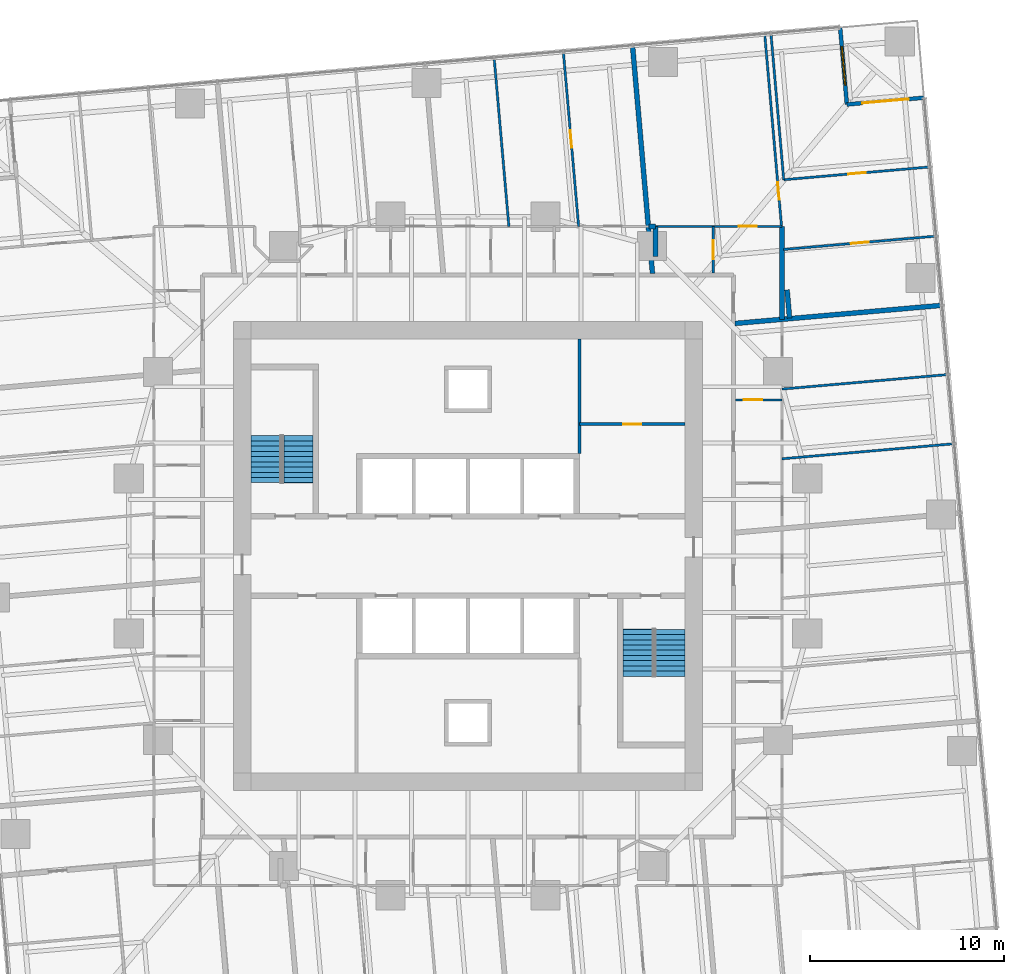
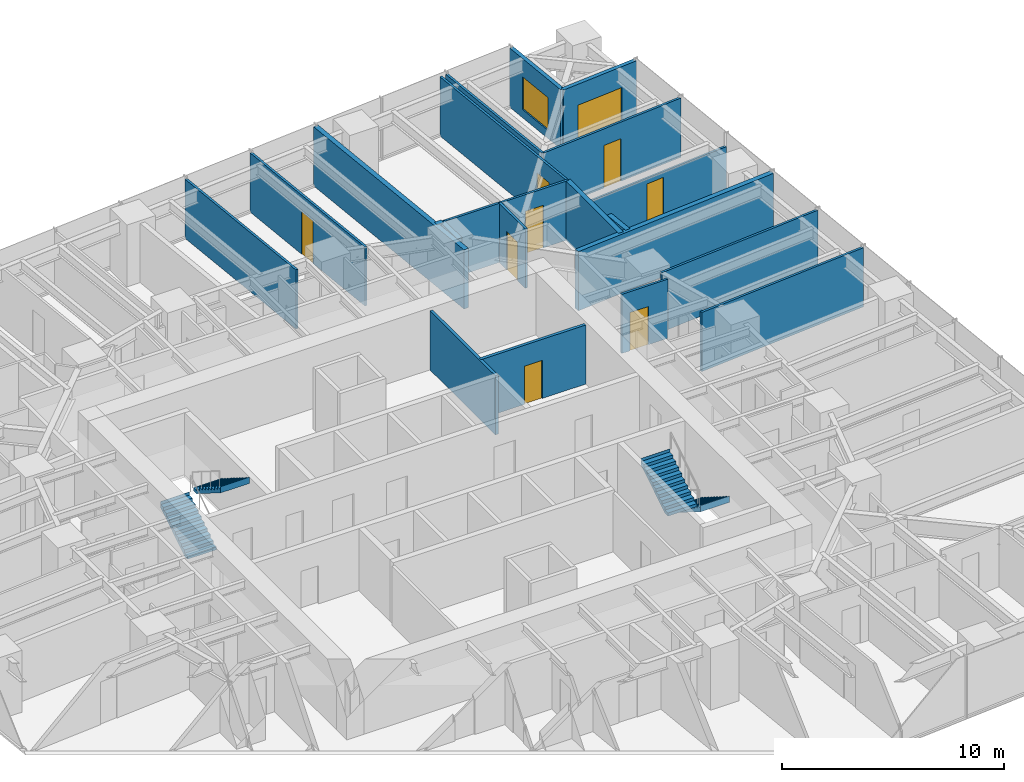
# One storey, part 13 of 14: 21 walls, 9 doors, 4 stair flights, 1 window, 10 openings, 2 elements without a shape of their own.
"""IFC4 building model written with IfcOpenShell, lengths in metres."""

from ifc_helpers import new_model, si_unit, direction, frame, frame_2d, origin, place, context, subcontext, project, spatial, polyline, rectangle, outline, extrude, material, layer, layer_set, type_object, element, fill, aggregate, save


model = new_model("IFC4")

# Units and contexts
model_context = context("Model", 3, precision=1e-05, world=origin(), true_north=direction((0.0, 1.0)))
body_context = subcontext(model_context, "Body", "Model", "MODEL_VIEW")
ifc_project = project(units=[si_unit("LENGTHUNIT", "METRE"), si_unit("AREAUNIT", "SQUARE_METRE"), si_unit("VOLUMEUNIT", "CUBIC_METRE"), si_unit("PLANEANGLEUNIT", "RADIAN"), si_unit("MASSUNIT", "GRAM", prefix="KILO")], contexts=[model_context])

# Site, building, storey
site_placement = place(None, origin())
site = spatial("IfcSite", under=ifc_project, at=site_placement, CompositionType="ELEMENT")
building_placement = place(site_placement, origin())
building = spatial("IfcBuilding", under=site, at=building_placement, Name="Torsade Residences", CompositionType="ELEMENT")
storey_placement = place(building_placement, frame((0.0, 0.0, 57.39990234375)))
storey = spatial("IfcBuildingStorey", under=building, at=storey_placement, Name="L15", CompositionType="ELEMENT", Elevation=57.39990234375)

# Wall, opening, door
ifc_material_1 = material(Name="Plasterboard on steel stud", Category="steel")
ifc_layer_1 = layer(ifc_material_1, 0.1201171875)
ifc_layer_set_1 = layer_set([ifc_layer_1], Name="Plasterboard on steel stud")
wall_type_1 = type_object("IfcWallType", Name="PARTITION 120", PredefinedType="PARTITIONING", material=ifc_layer_set_1)
wall_1_placement = place(storey_placement, frame((53.800048828125, 38.05029296875, 0.0), z_axis=(0.0, 0.0, 1.0), x_axis=(1.0, 0.0, 0.0)))
wall_1 = element("IfcWall", 1, at=wall_1_placement, inside=storey, type_object=wall_type_1, Name="Partition L15", PredefinedType="PARTITIONING", context=body_context, shape_type="SweptSolid", body=[
    extrude(rectangle(XDim=2.39990234375, YDim=0.1201171875, at=frame_2d((1.199951171875, 0.0))), origin(), (0.0, 0.0, 1.0), 3.25),
])
opening_1_placement = place(wall_1_placement, frame((0.419921875, 0.0, 0.0)))
opening_1 = element("IfcOpeningElement", 2, at=opening_1_placement, cuts=wall_1, Name="Opening D05", PredefinedType="OPENING", context=body_context, shape_type="SweptSolid", body=[
    extrude(rectangle(XDim=0.9599609375, YDim=2.10009765625, at=frame_2d((0.47998046875, 1.050048828125))), frame((0.0, 0.070068359375, 0.0), z_axis=(0.0, -1.0, 0.0), x_axis=(1.0, 0.0, 0.0)), (0.0, 0.0, 1.0), 0.14013671875),
])
ifc_material_2 = material(Name="Hollow-core timber door in a steel cavity frame", Category="steel")
door_type_1 = type_object("IfcDoorType", Name="BATHROOM CAVITY SLIDING DOOR 960", OperationType="SLIDING_TO_LEFT", PredefinedType="DOOR", material=ifc_material_2)
door_1_placement = place(opening_1_placement, origin())
door_1 = element("IfcDoor", 3, at=door_1_placement, inside=storey, type_object=door_type_1, Name="Door Kitchen and dining to Bathroom", OperationType="SLIDING_TO_LEFT", OverallHeight=2.10009765625, OverallWidth=0.9599609375, PredefinedType="DOOR", context=body_context, shape_type="SweptSolid", body=[
    extrude(rectangle(XDim=0.9599609375, YDim=2.10009765625, at=frame_2d((0.47998046875, 1.050048828125))), frame((0.0, 0.02490234375, 0.0), z_axis=(0.0, -1.0, 0.0), x_axis=(1.0, 0.0, 0.0)), (0.0, 0.0, 1.0), 0.050048828125),
])
fill(opening_1, door_1)

# Walls
wall_2_placement = place(storey_placement, frame((56.199951171875, 35.014404296875, 0.0), z_axis=(0.0, 0.0, 1.0), x_axis=(0.996194045583, 0.087163200634, 0.0)))
element("IfcWall", 4, at=wall_2_placement, inside=storey, type_object=wall_type_1, Name="Partition L15", PredefinedType="PARTITIONING", context=body_context, shape_type="SweptSolid", body=[
    extrude(rectangle(XDim=8.884765625, YDim=0.1201171875, at=frame_2d((4.4423828125, 0.0))), origin(), (0.0, 0.0, 1.0), 3.25),
])
wall_3_placement = place(storey_placement, frame((56.199951171875, 38.611328125, 0.0), z_axis=(0.0, 0.0, 1.0), x_axis=(0.996194273991, 0.087160590107, 0.0)))
element("IfcWall", 5, at=wall_3_placement, inside=storey, type_object=wall_type_1, Name="Partition L15", PredefinedType="PARTITIONING", context=body_context, shape_type="SweptSolid", body=[
    extrude(rectangle(XDim=8.5712890625, YDim=0.1201171875, at=frame_2d((4.28564453125, 0.0))), origin(), (0.0, 0.0, 1.0), 3.25),
])

# Wall, opening, door
wall_4_placement = place(storey_placement, frame((52.657470703125, 44.60009765625, 0.0), z_axis=(0.0, 0.0, 1.0), x_axis=(0.0, 1.0, 0.0)))
wall_4 = element("IfcWall", 6, at=wall_4_placement, inside=storey, type_object=wall_type_1, Name="Partition L15", PredefinedType="PARTITIONING", context=body_context, shape_type="SweptSolid", body=[
    extrude(rectangle(XDim=2.39990234375, YDim=0.1201171875, at=frame_2d((1.199951171875, 0.0))), origin(), (0.0, 0.0, 1.0), 3.25),
])
opening_2_placement = place(wall_4_placement, frame((0.719970703125, 0.0, 0.0)))
opening_2 = element("IfcOpeningElement", 7, at=opening_2_placement, cuts=wall_4, Name="Opening D05", PredefinedType="OPENING", context=body_context, shape_type="SweptSolid", body=[
    extrude(rectangle(XDim=0.9599609375, YDim=2.10009765625, at=frame_2d((0.47998046875, 1.050048828125))), frame((0.0, 0.070068359375, 0.0), z_axis=(0.0, -1.0, 0.0), x_axis=(1.0, 0.0, 0.0)), (0.0, 0.0, 1.0), 0.14013671875),
])
door_2_placement = place(opening_2_placement, origin())
door_2 = element("IfcDoor", 8, at=door_2_placement, inside=storey, type_object=door_type_1, Name="Door Kitchen and dining to Bathroom", OperationType="SLIDING_TO_LEFT", OverallHeight=2.10009765625, OverallWidth=0.9599609375, PredefinedType="DOOR", context=body_context, shape_type="SweptSolid", body=[
    extrude(rectangle(XDim=0.9599609375, YDim=2.10009765625, at=frame_2d((0.47998046875, 1.050048828125))), frame((0.0, 0.02490234375, 0.0), z_axis=(0.0, -1.0, 0.0), x_axis=(1.0, 0.0, 0.0)), (0.0, 0.0, 1.0), 0.050048828125),
])
fill(opening_2, door_2)

wall_5_placement = place(storey_placement, frame((49.68017578125, 47.0, 0.0), z_axis=(0.0, 0.0, 1.0), x_axis=(1.0, 0.0, 0.0)))
wall_5 = element("IfcWall", 9, at=wall_5_placement, inside=storey, type_object=wall_type_1, Name="Partition L15", PredefinedType="PARTITIONING", context=body_context, shape_type="SweptSolid", body=[
    extrude(rectangle(XDim=6.519775390625, YDim=0.1201171875, at=frame_2d((3.259765625, 0.0))), origin(), (0.0, 0.0, 1.0), 3.25),
])
opening_3_placement = place(wall_5_placement, frame((4.28857421875, 0.0, 0.0)))
opening_3 = element("IfcOpeningElement", 10, at=opening_3_placement, cuts=wall_5, Name="Opening D02", PredefinedType="OPENING", context=body_context, shape_type="SweptSolid", body=[
    extrude(rectangle(XDim=0.919921875, YDim=2.340087890625, at=frame_2d((0.4599609375, 1.169921875))), frame((0.0, 0.070068359375, 0.0), z_axis=(0.0, -1.0, 0.0), x_axis=(1.0, 0.0, 0.0)), (0.0, 0.0, 1.0), 0.14013671875),
])
ifc_material_3 = material(Name="Hollow-core timber door", Category="wood")
door_type_2 = type_object("IfcDoorType", Name="INTERNAL DOOR 920x2340", OperationType="NOTDEFINED", PredefinedType="DOOR", material=ifc_material_3)
door_3_placement = place(opening_3_placement, origin())
door_3 = element("IfcDoor", 11, at=door_3_placement, inside=storey, type_object=door_type_2, Name="Door Kitchen and dining to Living room", OperationType="SINGLE_SWING_RIGHT", OverallHeight=2.340087890625, OverallWidth=0.919921875, PredefinedType="DOOR", context=body_context, shape_type="SweptSolid", body=[
    extrude(rectangle(XDim=0.919921875, YDim=2.340087890625, at=frame_2d((0.4599609375, 1.169921875))), frame((0.0, 0.02490234375, 0.0), z_axis=(0.0, -1.0, 0.0), x_axis=(1.0, 0.0, 0.0)), (0.0, 0.0, 1.0), 0.050048828125),
])
fill(opening_3, door_3)

wall_6_placement = place(storey_placement, frame((55.30810546875, 56.896484375, 0.0), z_axis=(0.0, 0.0, 1.0), x_axis=(0.087145000294, -0.996195637876, 0.0)))
wall_6 = element("IfcWall", 12, at=wall_6_placement, inside=storey, type_object=wall_type_1, Name="Partition L15", PredefinedType="PARTITIONING", context=body_context, shape_type="SweptSolid", body=[
    extrude(rectangle(XDim=9.934326171875, YDim=0.1201171875, at=frame_2d((4.96728515625, 0.0))), origin(), (0.0, 0.0, 1.0), 3.25),
])
opening_4_placement = place(wall_6_placement, frame((7.63720703125, 0.0, 0.0)))
opening_4 = element("IfcOpeningElement", 13, at=opening_4_placement, cuts=wall_6, Name="Opening D02", PredefinedType="OPENING", context=body_context, shape_type="SweptSolid", body=[
    extrude(rectangle(XDim=0.919921875, YDim=2.340087890625, at=frame_2d((0.4599609375, 1.169921875))), frame((0.0, 0.070068359375, 0.0), z_axis=(0.0, -1.0, 0.0), x_axis=(1.0, 0.0, 0.0)), (0.0, 0.0, 1.0), 0.14013671875),
])
door_4_placement = place(opening_4_placement, origin())
door_4 = element("IfcDoor", 14, at=door_4_placement, inside=storey, type_object=door_type_2, Name="Door Living room to Bedroom 1", OperationType="SINGLE_SWING_RIGHT", OverallHeight=2.340087890625, OverallWidth=0.919921875, PredefinedType="DOOR", context=body_context, shape_type="SweptSolid", body=[
    extrude(rectangle(XDim=0.919921875, YDim=2.340087890625, at=frame_2d((0.4599609375, 1.169921875))), frame((0.0, 0.02490234375, 0.0), z_axis=(0.0, -1.0, 0.0), x_axis=(1.0, 0.0, 0.0)), (0.0, 0.0, 1.0), 0.050048828125),
])
fill(opening_4, door_4)

wall_7_placement = place(storey_placement, frame((64.11376953125, 46.497802734375, 0.0), z_axis=(0.0, 0.0, 1.0), x_axis=(-0.996194795495, -0.087154629416, 0.0)))
wall_7 = element("IfcWall", 15, at=wall_7_placement, inside=storey, type_object=wall_type_1, Name="Partition L15", PredefinedType="PARTITIONING", context=body_context, shape_type="SweptSolid", body=[
    extrude(rectangle(XDim=7.865966796875, YDim=0.1201171875, at=frame_2d((3.93310546875, 0.0))), origin(), (0.0, 0.0, 1.0), 2.63818359375),
])
opening_5_placement = place(wall_7_placement, frame((3.453125, 0.0, 0.0)))
opening_5 = element("IfcOpeningElement", 16, at=opening_5_placement, cuts=wall_7, Name="Opening D02", PredefinedType="OPENING", context=body_context, shape_type="SweptSolid", body=[
    extrude(rectangle(XDim=0.919921875, YDim=2.340087890625, at=frame_2d((0.4599609375, 1.169921875))), frame((0.0, 0.070068359375, 0.0), z_axis=(0.0, -1.0, 0.0), x_axis=(1.0, 0.0, 0.0)), (0.0, 0.0, 1.0), 0.14013671875),
])
door_5_placement = place(opening_5_placement, origin())
door_5 = element("IfcDoor", 17, at=door_5_placement, inside=storey, type_object=door_type_2, Name="Door Bedroom 1 to Bedroom 2", OperationType="SINGLE_SWING_LEFT", OverallHeight=2.340087890625, OverallWidth=0.919921875, PredefinedType="DOOR", context=body_context, shape_type="SweptSolid", body=[
    extrude(rectangle(XDim=0.919921875, YDim=2.340087890625, at=frame_2d((0.4599609375, 1.169921875))), frame((0.0, 0.02490234375, 0.0), z_axis=(0.0, -1.0, 0.0), x_axis=(1.0, 0.0, 0.0)), (0.0, 0.0, 1.0), 0.050048828125),
])
fill(opening_5, door_5)

# Wall
wall_8_placement = place(storey_placement, frame((55.62939453125, 56.924560546875, 0.0), z_axis=(0.0, 0.0, 1.0), x_axis=(0.087158920508, -0.996194420069, 0.0)))
element("IfcWall", 18, at=wall_8_placement, inside=storey, type_object=wall_type_1, Name="Partition L15", PredefinedType="PARTITIONING", context=body_context, shape_type="SweptSolid", body=[
    extrude(rectangle(XDim=7.54345703125, YDim=0.1201171875, at=frame_2d((3.771728515625, 0.0))), origin(), (0.0, 0.0, 1.0), 3.25),
])

# Wall, opening, door
wall_9_placement = place(storey_placement, frame((56.286865234375, 49.409912109375, 0.0), z_axis=(0.0, 0.0, 1.0), x_axis=(0.996194420069, 0.087158920508, 0.0)))
wall_9 = element("IfcWall", 19, at=wall_9_placement, inside=storey, type_object=wall_type_1, Name="Partition L15", PredefinedType="PARTITIONING", context=body_context, shape_type="SweptSolid", body=[
    extrude(rectangle(XDim=7.54345703125, YDim=0.1201171875, at=frame_2d((3.771728515625, 0.0))), origin(), (0.0, 0.0, 1.0), 3.25),
])
opening_6_placement = place(wall_9_placement, frame((3.331787109375, 0.0, 0.0)))
opening_6 = element("IfcOpeningElement", 20, at=opening_6_placement, cuts=wall_9, Name="Opening D02", PredefinedType="OPENING", context=body_context, shape_type="SweptSolid", body=[
    extrude(rectangle(XDim=0.919921875, YDim=2.340087890625, at=frame_2d((0.4599609375, 1.169921875))), frame((0.0, 0.070068359375, 0.0), z_axis=(0.0, -1.0, 0.0), x_axis=(1.0, 0.0, 0.0)), (0.0, 0.0, 1.0), 0.14013671875),
])
door_6_placement = place(opening_6_placement, origin())
door_6 = element("IfcDoor", 21, at=door_6_placement, inside=storey, type_object=door_type_2, Name="Door Bedroom 1 to Study", OperationType="SINGLE_SWING_RIGHT", OverallHeight=2.340087890625, OverallWidth=0.919921875, PredefinedType="DOOR", context=body_context, shape_type="SweptSolid", body=[
    extrude(rectangle(XDim=0.919921875, YDim=2.340087890625, at=frame_2d((0.4599609375, 1.169921875))), frame((0.0, 0.02490234375, 0.0), z_axis=(0.0, -1.0, 0.0), x_axis=(1.0, 0.0, 0.0)), (0.0, 0.0, 1.0), 0.050048828125),
])
fill(opening_6, door_6)

wall_10_placement = place(storey_placement, frame((45.706787109375, 47.0, 0.0), z_axis=(0.0, 0.0, 1.0), x_axis=(-0.087160907995, 0.996194246178, 0.0)))
wall_10 = element("IfcWall", 22, at=wall_10_placement, inside=storey, type_object=wall_type_1, Name="Partition L15", PredefinedType="PARTITIONING", context=body_context, shape_type="SweptSolid", body=[
    extrude(rectangle(XDim=9.022216796875, YDim=0.1201171875, at=frame_2d((4.51123046875, 0.0))), origin(), (0.0, 0.0, 1.0), 3.25),
])
opening_7_placement = place(wall_10_placement, frame((4.071044921875, 0.0, 0.0)))
opening_7 = element("IfcOpeningElement", 23, at=opening_7_placement, cuts=wall_10, Name="Opening D02", PredefinedType="OPENING", context=body_context, shape_type="SweptSolid", body=[
    extrude(rectangle(XDim=0.919921875, YDim=2.340087890625, at=frame_2d((0.4599609375, 1.169921875))), frame((0.0, 0.070068359375, 0.0), z_axis=(0.0, -1.0, 0.0), x_axis=(1.0, 0.0, 0.0)), (0.0, 0.0, 1.0), 0.14013671875),
])
door_7_placement = place(opening_7_placement, origin())
door_7 = element("IfcDoor", 24, at=door_7_placement, inside=storey, type_object=door_type_2, Name="Door Living room to Bedroom 1", OperationType="SINGLE_SWING_RIGHT", OverallHeight=2.340087890625, OverallWidth=0.919921875, PredefinedType="DOOR", context=body_context, shape_type="SweptSolid", body=[
    extrude(rectangle(XDim=0.919921875, YDim=2.340087890625, at=frame_2d((0.4599609375, 1.169921875))), frame((0.0, 0.02490234375, 0.0), z_axis=(0.0, -1.0, 0.0), x_axis=(1.0, 0.0, 0.0)), (0.0, 0.0, 1.0), 0.050048828125),
])
fill(opening_7, door_7)

# Walls
wall_11_placement = place(storey_placement, frame((42.109619140625, 47.0, 0.0), z_axis=(0.0, 0.0, 1.0), x_axis=(-0.087158256162, 0.996194478193, 0.0)))
element("IfcWall", 25, at=wall_11_placement, inside=storey, type_object=wall_type_1, Name="Partition L15", PredefinedType="PARTITIONING", context=body_context, shape_type="SweptSolid", body=[
    extrude(rectangle(XDim=8.708740234375, YDim=0.1201171875, at=frame_2d((4.3544921875, 0.0))), origin(), (0.0, 0.0, 1.0), 3.25),
])
ifc_material_4 = material(Name="Masonry-lined stud party wall", Category="masonry")
ifc_layer_2 = layer(ifc_material_4, 0.25)
ifc_layer_set_2 = layer_set([ifc_layer_2], Name="Masonry-lined stud party wall")
wall_type_2 = type_object("IfcWallType", Name="PARTY WALL 250", PredefinedType="PARTITIONING", material=ifc_layer_set_2)
wall_12_placement = place(storey_placement, frame((64.466064453125, 42.931640625, 0.0), z_axis=(0.0, 0.0, 1.0), x_axis=(-0.996193939644, -0.08716441141, 0.0)))
element("IfcWall", 26, at=wall_12_placement, inside=storey, type_object=wall_type_2, Name="Party wall L15", PredefinedType="PARTITIONING", context=body_context, shape_type="SweptSolid", body=[
    extrude(rectangle(XDim=10.73583984375, YDim=0.25, at=frame_2d((5.367919921875, 0.0))), origin(), (0.0, 0.0, 1.0), 3.25),
])
wall_13_placement = place(storey_placement, frame((48.486572265625, 56.33984375, 0.0), z_axis=(0.0, 0.0, 1.0), x_axis=(0.087168232078, -0.996193605338, 0.0)))
element("IfcWall", 27, at=wall_13_placement, inside=storey, type_object=wall_type_2, Name="Party wall L15", PredefinedType="PARTITIONING", context=body_context, shape_type="SweptSolid", body=[
    extrude(rectangle(XDim=11.813720703125, YDim=0.25, at=frame_2d((5.90673828125, 0.0))), origin(), (0.0, 0.0, 1.0), 3.25),
])
wall_14_placement = place(storey_placement, frame((56.199951171875, 42.20849609375, 0.0), z_axis=(0.0, 0.0, 1.0), x_axis=(0.0, 1.0, 0.0)))
element("IfcWall", 28, at=wall_14_placement, inside=storey, type_object=wall_type_2, Name="Party wall L15", PredefinedType="PARTITIONING", context=body_context, shape_type="SweptSolid", body=[
    extrude(rectangle(XDim=4.79150390625, YDim=0.25, at=frame_2d((2.395751953125, 0.0))), origin(), (0.0, 0.0, 1.0), 3.25),
])
wall_15_placement = place(storey_placement, frame((56.4599609375, 43.7294921875, 0.0), z_axis=(0.0, 0.0, 1.0), x_axis=(0.087133819286, -0.996196615903, 0.0)))
element("IfcWall", 29, at=wall_15_placement, inside=storey, type_object=wall_type_2, Name="Party wall L15", PredefinedType="PARTITIONING", context=body_context, shape_type="SweptSolid", body=[
    extrude(rectangle(XDim=1.462646484375, YDim=0.25, at=frame_2d((0.7314453125, 0.0))), origin(), (0.0, 0.0, 1.0), 3.25),
])
wall_16_placement = place(storey_placement, frame((49.68017578125, 47.0, 0.0), z_axis=(0.0, 0.0, 1.0), x_axis=(0.0, -1.0, 0.0)))
element("IfcWall", 30, at=wall_16_placement, inside=storey, type_object=wall_type_2, Name="Party wall L15", PredefinedType="PARTITIONING", context=body_context, shape_type="SweptSolid", body=[
    extrude(rectangle(XDim=1.549072265625, YDim=0.25, at=frame_2d((0.7744140625, 0.0))), origin(), (0.0, 0.0, 1.0), 3.25),
])
wall_17_placement = place(storey_placement, frame((49.328369140625, 47.000244140625, 0.0), z_axis=(0.0, 0.0, 1.0), x_axis=(0.999999759208, -0.000693962359, 0.0)))
element("IfcWall", 31, at=wall_17_placement, inside=storey, type_object=wall_type_2, Name="Party wall L15", PredefinedType="PARTITIONING", context=body_context, shape_type="SweptSolid", body=[
    extrude(rectangle(XDim=0.351806640625, YDim=0.25, at=frame_2d((0.17578125, 0.0))), origin(), (0.0, 0.0, 1.0), 3.25),
])
ifc_material_5 = material(Name="Reinforced blockwork", Category="masonry")
ifc_layer_3 = layer(ifc_material_5, 0.14990234375)
ifc_layer_set_3 = layer_set([ifc_layer_3], Name="Reinforced blockwork")
wall_type_3 = type_object("IfcWallType", Name="SERVICE ROOM WALL 150", PredefinedType="SOLIDWALL", material=ifc_layer_set_3)
wall_18_placement = place(storey_placement, frame((45.75, 41.199951171875, 0.0), z_axis=(0.0, 0.0, 1.0), x_axis=(0.0, -1.0, 0.0)))
element("IfcWall", 32, at=wall_18_placement, inside=storey, type_object=wall_type_3, Name="Service room wall L15", PredefinedType="SOLIDWALL", context=body_context, shape_type="SweptSolid", body=[
    extrude(rectangle(XDim=5.89990234375, YDim=0.14990234375, at=frame_2d((2.949951171875, 0.0))), origin(), (0.0, 0.0, 1.0), 3.25),
])

# Wall, opening, door
wall_19_placement = place(storey_placement, frame((45.75, 36.800048828125, 0.0), z_axis=(0.0, 0.0, 1.0), x_axis=(1.0, 0.0, 0.0)))
wall_19 = element("IfcWall", 33, at=wall_19_placement, inside=storey, type_object=wall_type_3, Name="Service room wall L15", PredefinedType="SOLIDWALL", context=body_context, shape_type="SweptSolid", body=[
    extrude(rectangle(XDim=5.449951171875, YDim=0.14990234375, at=frame_2d((2.72509765625, 0.0))), origin(), (0.0, 0.0, 1.0), 3.25),
])
opening_8_placement = place(wall_19_placement, frame((2.264892578125, 0.0, 0.0)))
opening_8 = element("IfcOpeningElement", 34, at=opening_8_placement, cuts=wall_19, Name="Opening D06", PredefinedType="OPENING", context=body_context, shape_type="SweptSolid", body=[
    extrude(rectangle(XDim=0.919921875, YDim=2.10009765625, at=frame_2d((0.4599609375, 1.050048828125))), frame((0.0, 0.0849609375, 0.0), z_axis=(0.0, -1.0, 0.0), x_axis=(1.0, 0.0, 0.0)), (0.0, 0.0, 1.0), 0.169921875),
])
ifc_material_6 = material(Name="Steel-framed fire door", Category="steel")
door_type_3 = type_object("IfcDoorType", Name="FIRE DOOR 920", OperationType="NOTDEFINED", PredefinedType="DOOR", material=ifc_material_6)
door_8_placement = place(opening_8_placement, origin())
door_8 = element("IfcDoor", 35, at=door_8_placement, inside=storey, type_object=door_type_3, Name="Door Refuse room to Linen store", OperationType="SINGLE_SWING_LEFT", OverallHeight=2.10009765625, OverallWidth=0.919921875, PredefinedType="DOOR", context=body_context, shape_type="SweptSolid", body=[
    extrude(rectangle(XDim=0.919921875, YDim=2.10009765625, at=frame_2d((0.4599609375, 1.050048828125))), frame((0.0, 0.02490234375, 0.0), z_axis=(0.0, -1.0, 0.0), x_axis=(1.0, 0.0, 0.0)), (0.0, 0.0, 1.0), 0.050048828125),
])
fill(opening_8, door_8)

ifc_material_7 = material(Name="Stone-faced precast concrete 40 MPa panel", Category="masonry")
ifc_layer_4 = layer(ifc_material_7, 0.199951171875)
ifc_layer_set_4 = layer_set([ifc_layer_4], Name="Stone-faced precast concrete 40 MPa panel")
wall_type_4 = type_object("IfcWallType", Name="TERRACE WALL 200", PredefinedType="SOLIDWALL", material=ifc_layer_set_4)
wall_20_placement = place(storey_placement, frame((63.529052734375, 53.640625, 0.0), z_axis=(0.0, 0.0, 1.0), x_axis=(-0.99619418125, -0.087161650072, 0.0)))
wall_20 = element("IfcWall", 36, at=wall_20_placement, inside=storey, type_object=wall_type_4, Name="Terrace wall L15 5", PredefinedType="SOLIDWALL", context=body_context, shape_type="SweptSolid", body=[
    extrude(rectangle(XDim=3.999755859375, YDim=0.199951171875, at=frame_2d((2.0, 0.0))), origin(), (0.0, 0.0, 1.0), 3.25),
])
opening_9_placement = place(wall_20_placement, frame((0.800048828125, 0.0, 0.0)))
opening_9 = element("IfcOpeningElement", 37, at=opening_9_placement, cuts=wall_20, Name="Opening D10A", PredefinedType="OPENING", context=body_context, shape_type="SweptSolid", body=[
    extrude(rectangle(XDim=2.39990234375, YDim=2.10009765625, at=frame_2d((1.199951171875, 1.050048828125))), frame((0.0, 0.10986328125, 0.0), z_axis=(0.0, -1.0, 0.0), x_axis=(1.0, 0.0, 0.0)), (0.0, 0.0, 1.0), 0.219970703125),
])
ifc_material_8 = material(Name="Aluminium-framed glass door", Category="aluminium")
door_type_4 = type_object("IfcDoorType", Name="TERRACE SLIDING DOOR 2400x2100", OperationType="SLIDING_TO_LEFT", PredefinedType="DOOR", material=ifc_material_8)
door_9_placement = place(opening_9_placement, origin())
door_9 = element("IfcDoor", 38, at=door_9_placement, inside=storey, type_object=door_type_4, Name="Terrace door L15 5", OperationType="SLIDING_TO_LEFT", OverallHeight=2.10009765625, OverallWidth=2.39990234375, PredefinedType="DOOR", context=body_context, shape_type="SweptSolid", body=[
    extrude(rectangle(XDim=2.39990234375, YDim=2.10009765625, at=frame_2d((1.199951171875, 1.050048828125))), frame((0.0, 0.02490234375, 0.0), z_axis=(0.0, -1.0, 0.0), x_axis=(1.0, 0.0, 0.0)), (0.0, 0.0, 1.0), 0.050048828125),
])
fill(opening_9, door_9)

# Wall, opening, window
wall_21_placement = place(storey_placement, frame((59.54443359375, 53.2919921875, 0.0), z_axis=(0.0, 0.0, 1.0), x_axis=(-0.087156350505, 0.99619464492, 0.0)))
wall_21 = element("IfcWall", 39, at=wall_21_placement, inside=storey, type_object=wall_type_4, Name="Terrace wall L15 6", PredefinedType="SOLIDWALL", context=body_context, shape_type="SweptSolid", body=[
    extrude(rectangle(XDim=4.0, YDim=0.199951171875, at=frame_2d((2.0, 0.0))), origin(), (0.0, 0.0, 1.0), 3.25),
])
opening_10_placement = place(wall_21_placement, frame((1.0, 0.0, 0.449951171875)))
opening_10 = element("IfcOpeningElement", 40, at=opening_10_placement, cuts=wall_21, Name="Opening W1B", PredefinedType="OPENING", context=body_context, shape_type="SweptSolid", body=[
    extrude(rectangle(XDim=2.0, YDim=1.800048828125, at=frame_2d((1.0, 0.89990234375))), frame((0.0, 0.10986328125, 0.0), z_axis=(0.0, -1.0, 0.0), x_axis=(1.0, 0.0, 0.0)), (0.0, 0.0, 1.0), 0.219970703125),
])
ifc_material_9 = material(Name="Aluminium-framed glass window", Category="aluminium")
window_type = type_object("IfcWindowType", Name="TERRACE WINDOW 2000x1800", PartitioningType="SINGLE_PANEL", PredefinedType="WINDOW", material=ifc_material_9)
window_placement = place(opening_10_placement, origin())
window = element("IfcWindow", 41, at=window_placement, inside=storey, type_object=window_type, Name="Terrace window L15 6", OverallHeight=1.800048828125, OverallWidth=2.0, PartitioningType="SINGLE_PANEL", PredefinedType="WINDOW", context=body_context, shape_type="SweptSolid", body=[
    extrude(rectangle(XDim=2.0, YDim=1.800048828125, at=frame_2d((1.0, 0.89990234375))), frame((0.0, 0.030029296875, 0.0), z_axis=(0.0, -1.0, 0.0), x_axis=(1.0, 0.0, 0.0)), (0.0, 0.0, 1.0), 0.06005859375),
])
fill(opening_10, window)

# Stair, stair flights
ifc_material_10 = material(Name="Precast concrete 40 MPa", Category="concrete")
stair_type = type_object("IfcStairType", Name="HALF-TURN FIRE STAIR 1500x3400", PredefinedType="HALF_TURN_STAIR", material=ifc_material_10)
stair_1_placement = place(storey_placement, origin())
stair_1 = element("IfcStair", 42, at=stair_1_placement, inside=storey, type_object=stair_type, Name="Stair ST1 L15", PredefinedType="HALF_TURN_STAIR")
ifc_material_11 = material(Name="Precast concrete 40 MPa", Category="concrete")
stair_flight_type = type_object("IfcStairFlightType", Name="PRECAST STAIR FLIGHT 1500x1700", PredefinedType="STRAIGHT", material=ifc_material_11)
stair_flight_1_placement = place(storey_placement, frame((29.550048828125, 33.780029296875, 0.0), z_axis=(0.0, 0.0, 1.0), x_axis=(0.0, 1.0, 0.0)))
stair_flight_1 = element("IfcStairFlight", 43, at=stair_flight_1_placement, type_object=stair_flight_type, Name="ST1 flight 1", NumberOfRisers=10, NumberOfTreads=9, PredefinedType="STRAIGHT", RiserHeight=0.17, TreadLength=0.27, context=body_context, shape_type="SweptSolid", body=[
    extrude(outline(polyline([(0.0, 0.0), (0.0, 0.169921875), (0.27001953125, 0.169921875), (0.27001953125, 0.340087890625), (0.5400390625, 0.340087890625), (0.5400390625, 0.510009765625), (0.81005859375, 0.510009765625), (0.81005859375, 0.679931640625), (1.080078125, 0.679931640625), (1.080078125, 0.85009765625), (1.35009765625, 0.85009765625), (1.35009765625, 1.02001953125), (1.6201171875, 1.02001953125), (1.6201171875, 1.18994140625), (1.889892578125, 1.18994140625), (1.889892578125, 1.360107421875), (2.159912109375, 1.360107421875), (2.159912109375, 1.530029296875), (2.429931640625, 1.530029296875), (2.429931640625, 1.699951171875), (2.43994140625, 1.699951171875), (2.43994140625, 1.352783203125), (2.429931640625, 1.352783203125), (0.28125, 0.0), (0.0, 0.0)])), frame((0.0, 0.75, 0.0), z_axis=(0.0, -1.0, 0.0), x_axis=(1.0, 0.0, 0.0)), (0.0, 0.0, 1.0), 1.5),
])
stair_flight_2_placement = place(storey_placement, frame((31.25, 36.2099609375, 1.7001953125), z_axis=(0.0, 0.0, 1.0), x_axis=(0.0, -1.0, 0.0)))
stair_flight_2 = element("IfcStairFlight", 44, at=stair_flight_2_placement, type_object=stair_flight_type, Name="ST1 flight 2", NumberOfRisers=10, NumberOfTreads=9, PredefinedType="STRAIGHT", RiserHeight=0.17, TreadLength=0.27, context=body_context, shape_type="SweptSolid", body=[
    extrude(outline(polyline([(0.0, 0.0), (0.0, 0.169921875), (0.27001953125, 0.169921875), (0.27001953125, 0.340087890625), (0.5400390625, 0.340087890625), (0.5400390625, 0.510009765625), (0.81005859375, 0.510009765625), (0.81005859375, 0.679931640625), (1.080078125, 0.679931640625), (1.080078125, 0.85009765625), (1.35009765625, 0.85009765625), (1.35009765625, 1.02001953125), (1.6201171875, 1.02001953125), (1.6201171875, 1.18994140625), (1.889892578125, 1.18994140625), (1.889892578125, 1.360107421875), (2.159912109375, 1.360107421875), (2.159912109375, 1.530029296875), (2.429931640625, 1.530029296875), (2.429931640625, 1.699951171875), (2.43994140625, 1.699951171875), (2.43994140625, 1.352783203125), (2.429931640625, 1.352783203125), (0.28125, 0.0), (0.0, 0.0)])), frame((0.0, 0.75, 0.0), z_axis=(0.0, -1.0, 0.0), x_axis=(1.0, 0.0, 0.0)), (0.0, 0.0, 1.0), 1.5),
])
aggregate(stair_1, [stair_flight_1, stair_flight_2])

stair_2_placement = place(storey_placement, origin())
stair_2 = element("IfcStair", 45, at=stair_2_placement, inside=storey, type_object=stair_type, Name="Stair ST2 L15", PredefinedType="HALF_TURN_STAIR")
stair_flight_3_placement = place(storey_placement, frame((50.449951171875, 26.219970703125, 0.0), z_axis=(0.0, 0.0, 1.0), x_axis=(0.0, -1.0, 0.0)))
stair_flight_3 = element("IfcStairFlight", 46, at=stair_flight_3_placement, type_object=stair_flight_type, Name="ST2 flight 1", NumberOfRisers=10, NumberOfTreads=9, PredefinedType="STRAIGHT", RiserHeight=0.17, TreadLength=0.27, context=body_context, shape_type="SweptSolid", body=[
    extrude(outline(polyline([(0.0, 0.0), (0.0, 0.169921875), (0.27001953125, 0.169921875), (0.27001953125, 0.340087890625), (0.5400390625, 0.340087890625), (0.5400390625, 0.510009765625), (0.81005859375, 0.510009765625), (0.81005859375, 0.679931640625), (1.080078125, 0.679931640625), (1.080078125, 0.85009765625), (1.35009765625, 0.85009765625), (1.35009765625, 1.02001953125), (1.6201171875, 1.02001953125), (1.6201171875, 1.18994140625), (1.889892578125, 1.18994140625), (1.889892578125, 1.360107421875), (2.159912109375, 1.360107421875), (2.159912109375, 1.530029296875), (2.429931640625, 1.530029296875), (2.429931640625, 1.699951171875), (2.43994140625, 1.699951171875), (2.43994140625, 1.352783203125), (2.429931640625, 1.352783203125), (0.28125, 0.0), (0.0, 0.0)])), frame((0.0, 0.75, 0.0), z_axis=(0.0, -1.0, 0.0), x_axis=(1.0, 0.0, 0.0)), (0.0, 0.0, 1.0), 1.5),
])
stair_flight_4_placement = place(storey_placement, frame((48.75, 23.7900390625, 1.7001953125), z_axis=(0.0, 0.0, 1.0), x_axis=(0.0, 1.0, 0.0)))
stair_flight_4 = element("IfcStairFlight", 47, at=stair_flight_4_placement, type_object=stair_flight_type, Name="ST2 flight 2", NumberOfRisers=10, NumberOfTreads=9, PredefinedType="STRAIGHT", RiserHeight=0.17, TreadLength=0.27, context=body_context, shape_type="SweptSolid", body=[
    extrude(outline(polyline([(0.0, 0.0), (0.0, 0.169921875), (0.27001953125, 0.169921875), (0.27001953125, 0.340087890625), (0.5400390625, 0.340087890625), (0.5400390625, 0.510009765625), (0.81005859375, 0.510009765625), (0.81005859375, 0.679931640625), (1.080078125, 0.679931640625), (1.080078125, 0.85009765625), (1.35009765625, 0.85009765625), (1.35009765625, 1.02001953125), (1.6201171875, 1.02001953125), (1.6201171875, 1.18994140625), (1.889892578125, 1.18994140625), (1.889892578125, 1.360107421875), (2.159912109375, 1.360107421875), (2.159912109375, 1.530029296875), (2.429931640625, 1.530029296875), (2.429931640625, 1.699951171875), (2.43994140625, 1.699951171875), (2.43994140625, 1.352783203125), (2.429931640625, 1.352783203125), (0.28125, 0.0), (0.0, 0.0)])), frame((0.0, 0.75, 0.0), z_axis=(0.0, -1.0, 0.0), x_axis=(1.0, 0.0, 0.0)), (0.0, 0.0, 1.0), 1.5),
])
aggregate(stair_2, [stair_flight_3, stair_flight_4])

save(model, "model.ifc")
